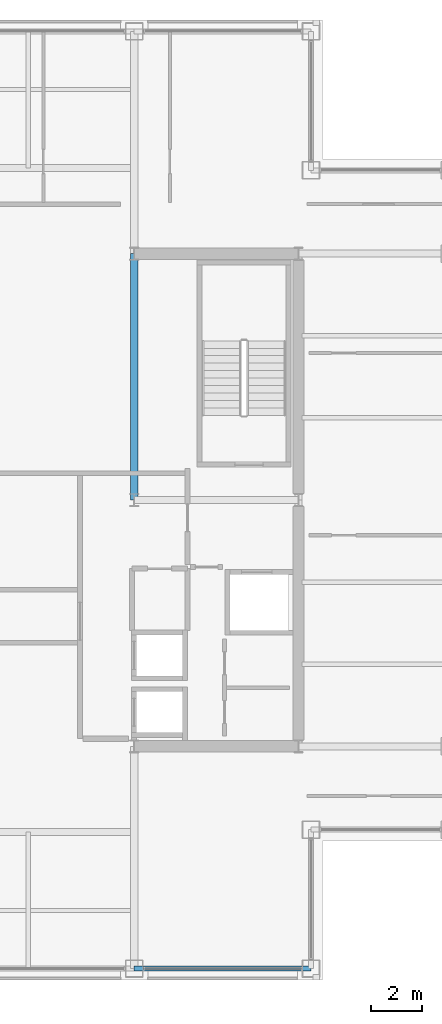
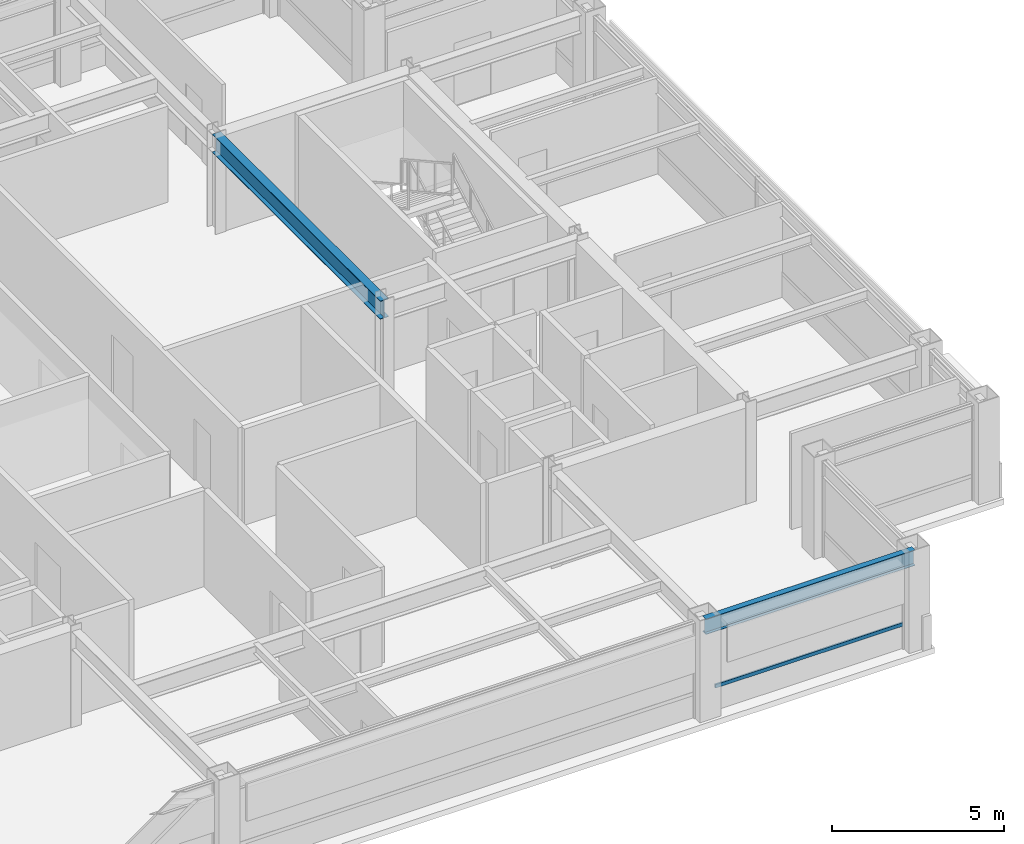
# One storey, part 11 of 26: 2 beams, 1 member, 1 element without a shape of its own.
"""IFC4 building model written with IfcOpenShell, lengths in metres."""

from ifc_helpers import new_model, si_unit, direction, frame, origin, origin_2d, place, context, subcontext, project, spatial, hollow_rectangle, i_section, extrude, material, layer, layer_set, material_profile, profile_set, type_object, element, aggregate, save


model = new_model("IFC4")

# Units and contexts
model_context = context("Model", 3, precision=1e-05, world=origin(), true_north=direction((0.0, 1.0)))
body_context = subcontext(model_context, "Body", "Model", "MODEL_VIEW")
ifc_project = project(units=[si_unit("LENGTHUNIT", "METRE"), si_unit("AREAUNIT", "SQUARE_METRE"), si_unit("VOLUMEUNIT", "CUBIC_METRE"), si_unit("PLANEANGLEUNIT", "RADIAN"), si_unit("MASSUNIT", "GRAM", prefix="KILO")], contexts=[model_context])

# Site, building, storey
site_placement = place(None, origin())
site = spatial("IfcSite", under=ifc_project, at=site_placement, CompositionType="ELEMENT")
building_placement = place(site_placement, origin())
building = spatial("IfcBuilding", under=site, at=building_placement, Name="Brelmoor Portico Tower", CompositionType="ELEMENT")
storey_placement = place(building_placement, frame((0.0, 0.0, 205.5)))
storey = spatial("IfcBuildingStorey", under=building, at=storey_placement, Name="L54", CompositionType="ELEMENT", Elevation=205.5)

# Beams
ifc_material_1 = material(Name="Steel Q355B", Category="steel")
ifc_material_profile_1 = material_profile(ifc_material_1, i_section(OverallWidth=0.280029296875, OverallDepth=0.64990234375, WebThickness=0.012939453125, FlangeThickness=0.02197265625, at=origin_2d()), Name="HN 650x280x13x22")
ifc_profile_set_1 = profile_set([ifc_material_profile_1], Name="Steel Q355B")
beam_type_1 = type_object("IfcBeamType", Name="BM-PG-650", PredefinedType="BEAM", material=ifc_profile_set_1)
beam_1_placement = place(storey_placement, frame((8.050048828125, 0.0, 3.074951171875), z_axis=(0.0, 1.0, 0.0), x_axis=(-1.0, 0.0, 0.0)))
element("IfcBeam", 1, at=beam_1_placement, inside=storey, type_object=beam_type_1, Name="L54 Primary Floor Girder PG-07", PredefinedType="BEAM", context=body_context, shape_type="SweptSolid", body=[
    extrude(i_section(OverallWidth=0.280029296875, OverallDepth=0.64990234375, WebThickness=0.012939453125, FlangeThickness=0.02197265625, at=origin_2d()), origin(), (0.0, 0.0, 1.0), 9.75),
])
ifc_material_profile_2 = material_profile(ifc_material_1, i_section(OverallWidth=0.199951171875, OverallDepth=0.550048828125, WebThickness=0.010009765625, FlangeThickness=0.01611328125, at=origin_2d()), Name="HN 550x200x10x16")
ifc_profile_set_2 = profile_set([ifc_material_profile_2], Name="Steel Q355B")
beam_type_2 = type_object("IfcBeamType", Name="BM-SP-550", PredefinedType="SPANDREL", material=ifc_profile_set_2)
beam_2_placement = place(storey_placement, frame((8.050048828125, -18.550048828125, 3.125), z_axis=(1.0, 0.0, 0.0), x_axis=(0.0, 1.0, 0.0)))
element("IfcBeam", 2, at=beam_2_placement, inside=storey, type_object=beam_type_2, Name="L54 Perimeter Spandrel Beam SP-03", PredefinedType="SPANDREL", context=body_context, shape_type="SweptSolid", body=[
    extrude(i_section(OverallWidth=0.199951171875, OverallDepth=0.550048828125, WebThickness=0.010009765625, FlangeThickness=0.01611328125, at=origin_2d()), origin(), (0.0, 0.0, 1.0), 7.0),
])

# Curtain wall, member
ifc_material_2 = material(Name="Anodised Aluminium Alloy 6063-T6", Category="aluminium")
ifc_layer = layer(ifc_material_2, 0.179931640625)
ifc_layer_set = layer_set([ifc_layer], Name="Anodised Aluminium Alloy 6063-T6")
curtain_wall_type = type_object("IfcCurtainWallType", Name="CW-TOWER-Z3", PredefinedType="NOTDEFINED", material=ifc_layer_set)
curtain_wall_placement = place(storey_placement, origin())
curtain_wall = element("IfcCurtainWall", 3, at=curtain_wall_placement, inside=storey, type_object=curtain_wall_type, Name="L54 Curtain Wall CW-L54-01-3", PredefinedType="NOTDEFINED")
ifc_material_profile_3 = material_profile(ifc_material_2, hollow_rectangle(XDim=0.06005859375, YDim=0.125, WallThickness=0.00341796875, at=origin_2d()), Name="ALU TRANSOM 60x125")
ifc_profile_set_3 = profile_set([ifc_material_profile_3], Name="Anodised Aluminium Alloy 6063-T6")
member_type = type_object("IfcMemberType", Name="MB-CW-TRAN-125", PredefinedType="USERDEFINED", material=ifc_profile_set_3)
member_placement = place(storey_placement, frame((8.409912109375, -18.550048828125, 0.85009765625), z_axis=(1.0, 0.0, 0.0), x_axis=(0.0, 1.0, 0.0)))
member = element("IfcMember", 4, at=member_placement, type_object=member_type, Name="CW-L54-01-3 Transom 1-00", ObjectType="TRANSOM", PredefinedType="USERDEFINED", context=body_context, shape_type="SweptSolid", body=[
    extrude(hollow_rectangle(XDim=0.06005859375, YDim=0.125, WallThickness=0.00341796875, at=origin_2d()), origin(), (0.0, 0.0, 1.0), 6.280029296875),
])
aggregate(curtain_wall, [member])

save(model, "model.ifc")
